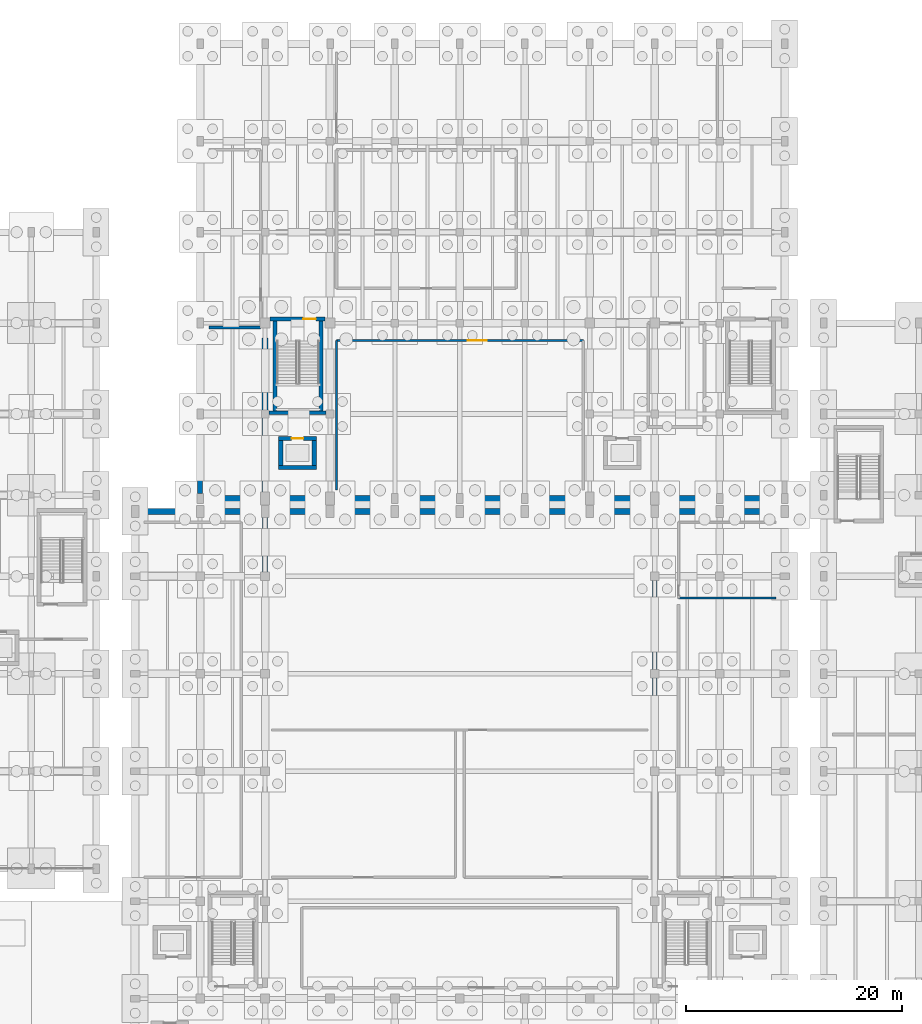
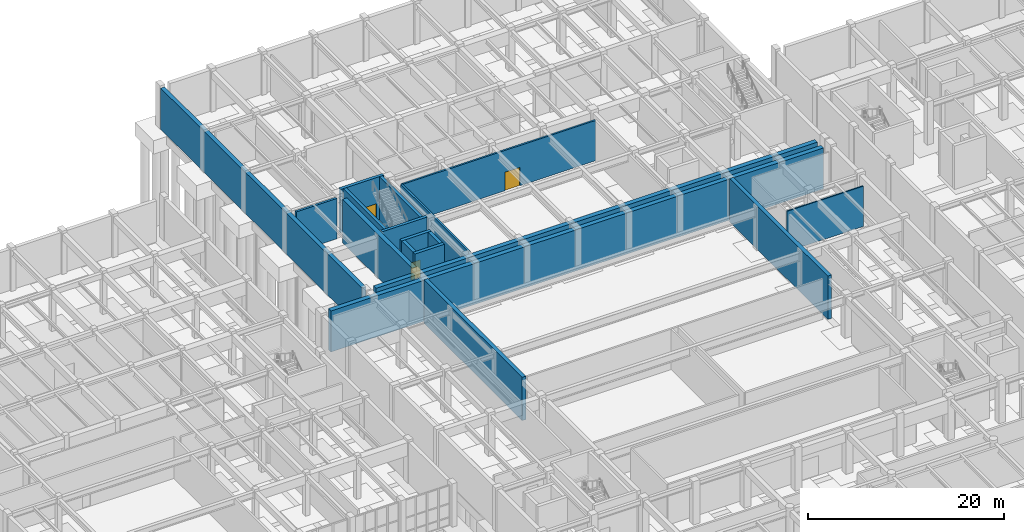
# One storey, part 52 of 69: 18 walls, 3 doors, 3 openings.
"""IFC4 building model written with IfcOpenShell, lengths in metres."""

import ifcopenshell
import ifcopenshell.guid

model = None  # the IFC model being written
_history = None  # IfcOwnerHistory: only IFC2X3 demands one
_inside = {}  # id of a spatial element -> (the spatial element, [elements in it])
_under = {}  # id of a project, library or spatial element -> (it, [spatial elements below it])
_declared = {}  # id of a project -> (the project, [libraries it declares])
_typed = {}  # id of a type object -> (the type object, [elements of that type])
_made_of = {}  # id of a material, layer set ... -> (it, [elements and type objects made of it])


def new_model(schema):
    """Start an empty IFC model of exactly this schema.

    Asked for "IFC4X3", IfcOpenShell would pick the latest addendum, in which some entities
    have other attributes; the version numbers below select the first issue.
    IFC2X3 requires an IfcOwnerHistory on every rooted entity: one is made here for all.
    """
    global model, _history
    if schema == "IFC4X3":
        model = ifcopenshell.file(schema_version=(4, 3, 0, 0))
    else:
        model = ifcopenshell.file(schema=schema)
    _inside.clear()
    _under.clear()
    _declared.clear()
    _typed.clear()
    _made_of.clear()
    _history = None
    if model.schema == "IFC2X3":
        org = make("IfcOrganization", Name="unknown")
        user = make(
            "IfcPersonAndOrganization",
            ThePerson=make("IfcPerson", FamilyName="unknown"),
            TheOrganization=org,
        )
        app = make(
            "IfcApplication",
            ApplicationDeveloper=org,
            Version="unknown",
            ApplicationFullName="unknown",
            ApplicationIdentifier="unknown",
        )
        _history = make(
            "IfcOwnerHistory",
            OwningUser=user,
            OwningApplication=app,
            ChangeAction="ADDED",
            CreationDate=0,
        )
    return model


def make(cls, **values):
    """One entity of the class cls with the attributes given. An attribute that is None is left unset."""
    return model.create_entity(
        cls, **{name: value for name, value in values.items() if value is not None}
    )


def rooted(cls, **values):
    """An entity with a GlobalId (a new one), such as an element, a storey or a relation."""
    return make(cls, GlobalId=ifcopenshell.guid.new(), OwnerHistory=_history, **values)


def si_unit(unit_type, name, prefix=None):
    """IfcSIUnit, for example si_unit("LENGTHUNIT", "METRE", prefix="MILLI")."""
    return make("IfcSIUnit", UnitType=unit_type, Prefix=prefix, Name=name)


def assignment(units):
    """IfcUnitAssignment: the units of a project."""
    return None if units is None else make("IfcUnitAssignment", Units=units)


def point(xyz):
    """IfcCartesianPoint."""
    return None if xyz is None else make("IfcCartesianPoint", Coordinates=xyz)


def direction(xyz):
    """IfcDirection."""
    return None if xyz is None else make("IfcDirection", DirectionRatios=xyz)


def frame(location, z_axis=None, x_axis=None):
    """IfcAxis2Placement3D, a coordinate frame: its origin and axes. An axis left out is left unset."""
    return make(
        "IfcAxis2Placement3D",
        Location=point(location),
        Axis=direction(z_axis),
        RefDirection=direction(x_axis),
    )


def frame_2d(location, x_axis=None):
    """IfcAxis2Placement2D, a coordinate frame in the plane: its origin and x axis."""
    return make(
        "IfcAxis2Placement2D", Location=point(location), RefDirection=direction(x_axis)
    )


def origin():
    """The frame at (0, 0, 0) with its axes left unset."""
    return frame((0.0, 0.0, 0.0))


def place(relative_to, where):
    """IfcLocalPlacement: puts the frame where relative to a parent placement (None: the world)."""
    return make(
        "IfcLocalPlacement", PlacementRelTo=relative_to, RelativePlacement=where
    )


def context(
    kind, dimensions, precision=None, world=None, true_north=None, identifier=None
):
    """IfcGeometricRepresentationContext, for example the 3D "Model" context."""
    return make(
        "IfcGeometricRepresentationContext",
        ContextIdentifier=identifier,
        ContextType=kind,
        CoordinateSpaceDimension=dimensions,
        Precision=precision,
        WorldCoordinateSystem=world,
        TrueNorth=true_north,
    )


def subcontext(parent, identifier, kind, view, scale=None):
    """IfcGeometricRepresentationSubContext, for example "Body" below "Model"."""
    return make(
        "IfcGeometricRepresentationSubContext",
        ContextIdentifier=identifier,
        ContextType=kind,
        ParentContext=parent,
        TargetScale=scale,
        TargetView=view,
    )


def project(units=None, contexts=None):
    """IfcProject with its units and contexts."""
    return rooted(
        "IfcProject",
        Name="project",
        RepresentationContexts=contexts,
        UnitsInContext=assignment(units),
    )


def spatial(cls, under=None, at=None, **own):
    """A site, building, storey or space (cls), placed at a placement, below another one or the project."""
    s = rooted(cls, ObjectPlacement=at, **own)
    if under is not None:
        _under.setdefault(under.id(), (under, []))[1].append(s)
    return s


def profile(cls, at=None, kind="AREA", **sizes):
    """A parametric profile (cls). Its sizes go by their IFC names, for example OverallWidth=200.0."""
    return make(cls, ProfileType=kind, Position=at, **sizes)


def rectangle(**sizes):
    """IfcRectangleProfileDef."""
    return profile("IfcRectangleProfileDef", **sizes)


def extrude(swept, where, along, depth):
    """IfcExtrudedAreaSolid: the profile swept, set in the frame where, extruded along a direction by depth."""
    return make(
        "IfcExtrudedAreaSolid",
        SweptArea=swept,
        Position=where,
        ExtrudedDirection=direction(along),
        Depth=depth,
    )


def shape(context_of_items, identifier, shape_type, items):
    """IfcShapeRepresentation: the items that make up one representation, for example the "Body"."""
    return make(
        "IfcShapeRepresentation",
        ContextOfItems=context_of_items,
        RepresentationIdentifier=identifier,
        RepresentationType=shape_type,
        Items=items,
    )


def material(Name=None, Category=None):
    """IfcMaterial."""
    return make("IfcMaterial", Name=Name, Category=Category)


def layer(
    of_material, thickness, ventilated=None, Name=None, Category=None, Priority=None
):
    """IfcMaterialLayer: one layer of a wall or slab, of a material (None: an air gap)."""
    return make(
        "IfcMaterialLayer",
        Material=of_material,
        LayerThickness=thickness,
        IsVentilated=ventilated,
        Name=Name,
        Category=Category,
        Priority=Priority,
    )


def layer_set(layers, Name=None):
    """IfcMaterialLayerSet."""
    return make("IfcMaterialLayerSet", MaterialLayers=layers, LayerSetName=Name)


def made_of(thing, what):
    """Note that an element or type object is made of a material, layer set ...; save() writes the relation."""
    if what is not None:
        _made_of.setdefault(what.id(), (what, []))[1].append(thing)
    return thing


def type_object(cls, material=None, **own):
    """A type object (cls), such as IfcWallType, which elements share."""
    return made_of(rooted(cls, **own), material)


def element(
    cls,
    number,
    at=None,
    inside=None,
    cuts=None,
    type_object=None,
    material=None,
    context=None,
    identifier="Body",
    shape_type=None,
    held_by="IfcProductDefinitionShape",
    body=None,
    shapes=None,
    **own,
):
    """One element of the class cls, such as IfcWall. Its Tag is "e" and its number.

    at: its placement. inside: the storey or other place that contains it. cuts: it is an
    opening in that element (IfcRelVoidsElement). A single representation is given by context,
    identifier, shape_type and body (its items); several are given by shapes. held_by: the class
    of the entity that holds the representations. save() writes the other relations.
    """
    e = rooted(cls, Tag="e%d" % number, ObjectPlacement=at, **own)
    if body is not None:
        shapes = [shape(context, identifier, shape_type, body)]
    if shapes is not None:
        e.Representation = make(held_by, Representations=shapes)
    if inside is not None:
        _inside.setdefault(inside.id(), (inside, []))[1].append(e)
    if cuts is not None:
        rooted(
            "IfcRelVoidsElement", RelatingBuildingElement=cuts, RelatedOpeningElement=e
        )
    if type_object is not None:
        _typed.setdefault(type_object.id(), (type_object, []))[1].append(e)
    return made_of(e, material)


def fill(opening, filler):
    """IfcRelFillsElement: the door or window that sits in an opening."""
    return rooted(
        "IfcRelFillsElement",
        RelatingOpeningElement=opening,
        RelatedBuildingElement=filler,
    )


def aggregate(whole, parts):
    """IfcRelAggregates: a whole, such as a stair, and the parts it consists of."""
    return rooted("IfcRelAggregates", RelatingObject=whole, RelatedObjects=parts)


def save(model, path):
    """Write the relations noted so far, then the file.

    IfcRelAggregates (storeys below a building ...), IfcRelContainedInSpatialStructure (elements
    in a storey), IfcRelDefinesByType, IfcRelAssociatesMaterial and IfcRelDeclares: one each for
    every whole, place, type object, material and project.
    """
    for whole, parts in _under.values():
        aggregate(whole, parts)
    for where, things in _inside.values():
        rooted(
            "IfcRelContainedInSpatialStructure",
            RelatedElements=things,
            RelatingStructure=where,
        )
    for kind, things in _typed.values():
        rooted("IfcRelDefinesByType", RelatedObjects=things, RelatingType=kind)
    for what, things in _made_of.values():
        rooted("IfcRelAssociatesMaterial", RelatedObjects=things, RelatingMaterial=what)
    for by, libraries in _declared.values():
        rooted("IfcRelDeclares", RelatingContext=by, RelatedDefinitions=libraries)
    model.write(path)


model = new_model("IFC4")

# Units and contexts
model_context = context("Model", 3, precision=1e-05, world=origin(), true_north=direction((0.0, 1.0)))
body_context = subcontext(model_context, "Body", "Model", "MODEL_VIEW")
ifc_project = project(units=[si_unit("LENGTHUNIT", "METRE"), si_unit("AREAUNIT", "SQUARE_METRE"), si_unit("VOLUMEUNIT", "CUBIC_METRE"), si_unit("PLANEANGLEUNIT", "RADIAN"), si_unit("MASSUNIT", "GRAM", prefix="KILO")], contexts=[model_context])

# Site, building, storey
site_placement = place(None, origin())
site = spatial("IfcSite", under=ifc_project, at=site_placement, CompositionType="ELEMENT")
building_placement = place(site_placement, origin())
building = spatial("IfcBuilding", under=site, at=building_placement, Name="Vaelkrest Opera House", CompositionType="ELEMENT")
storey_placement = place(building_placement, frame((0.0, 0.0, -5.39990234375)))
storey = spatial("IfcBuildingStorey", under=building, at=storey_placement, Name="B1", CompositionType="ELEMENT", Elevation=-5.39990234375)

# Wall
ifc_material_1 = material(Name="Gypsum acoustic board", Category="gypsum")
ifc_layer_1 = layer(ifc_material_1, 0.14990234375)
ifc_layer_set_1 = layer_set([ifc_layer_1], Name="Gypsum acoustic board")
wall_type_1 = type_object("IfcWallType", Name="PT03", PredefinedType="PARTITIONING", material=ifc_layer_set_1)
wall_1_placement = place(storey_placement, frame((20.199951171875, 8.199951171875, 0.0), z_axis=(0.0, 0.0, 1.0), x_axis=(1.0, 0.0, 0.0)))
element("IfcWall", 1, at=wall_1_placement, inside=storey, type_object=wall_type_1, Name="Interior partition PT-V1-B1-0017", PredefinedType="PARTITIONING", context=body_context, shape_type="SweptSolid", body=[
    extrude(rectangle(XDim=9.0, YDim=0.14990234375, at=frame_2d((4.5, 0.0))), origin(), (0.0, 0.0, 1.0), 5.02001953125),
])

# Wall, opening, door
ifc_material_2 = material(Name="American black walnut acoustic timber", Category="wood")
ifc_layer_2 = layer(ifc_material_2, 0.2099609375)
ifc_layer_set_2 = layer_set([ifc_layer_2], Name="American black walnut acoustic timber")
wall_type_2 = type_object("IfcWallType", Name="PT07", PredefinedType="PARTITIONING", material=ifc_layer_set_2)
wall_2_placement = place(storey_placement, frame((-11.39990234375, 32.0, 0.0), z_axis=(0.0, 0.0, 1.0), x_axis=(1.0, 0.0, 0.0)))
wall_2 = element("IfcWall", 2, at=wall_2_placement, inside=storey, type_object=wall_type_2, Name="Interior partition PT-V2-B1-0153", PredefinedType="PARTITIONING", context=body_context, shape_type="SweptSolid", body=[
    extrude(rectangle(XDim=22.7998046875, YDim=0.2099609375, at=frame_2d((11.39990234375, 0.0))), origin(), (0.0, 0.0, 1.0), 5.02001953125),
])
opening_1_placement = place(wall_2_placement, frame((12.110107421875, 0.0, 0.0)))
opening_1 = element("IfcOpeningElement", 3, at=opening_1_placement, cuts=wall_2, Name="Opening D058", PredefinedType="OPENING", context=body_context, shape_type="SweptSolid", body=[
    extrude(rectangle(XDim=1.780029296875, YDim=2.300048828125, at=frame_2d((0.89013671875, 1.14990234375))), frame((0.0, 0.114990234375, 0.0), z_axis=(0.0, -1.0, 0.0), x_axis=(1.0, 0.0, 0.0)), (0.0, 0.0, 1.0), 0.22998046875),
])
door_type_1 = type_object("IfcDoorType", Name="DT20", OperationType="DOUBLE_DOOR_SINGLE_SWING", PredefinedType="DOOR", material=ifc_material_2)
door_1_placement = place(opening_1_placement, origin())
door_1 = element("IfcDoor", 4, at=door_1_placement, inside=storey, type_object=door_type_1, Name="Interior door D058 (Understage Machinery Room)", OperationType="DOUBLE_DOOR_SINGLE_SWING", OverallHeight=2.300048828125, OverallWidth=1.780029296875, PredefinedType="DOOR", context=body_context, shape_type="SweptSolid", body=[
    extrude(rectangle(XDim=1.780029296875, YDim=2.300048828125, at=frame_2d((0.89013671875, 1.14990234375))), frame((0.0, 0.02490234375, 0.0), z_axis=(0.0, -1.0, 0.0), x_axis=(1.0, 0.0, 0.0)), (0.0, 0.0, 1.0), 0.050048828125),
])
fill(opening_1, door_1)

# Walls
ifc_layer_3 = layer(ifc_material_2, 0.22509765625)
ifc_layer_set_3 = layer_set([ifc_layer_3], Name="American black walnut acoustic timber")
wall_type_3 = type_object("IfcWallType", Name="PT08", PredefinedType="PARTITIONING", material=ifc_layer_set_3)
wall_3_placement = place(storey_placement, frame((-11.39990234375, 18.199951171875, 0.0), z_axis=(0.0, 0.0, 1.0), x_axis=(0.0, 1.0, 0.0)))
element("IfcWall", 5, at=wall_3_placement, inside=storey, type_object=wall_type_3, Name="Interior partition PT-V2-B1-0154", PredefinedType="PARTITIONING", context=body_context, shape_type="SweptSolid", body=[
    extrude(rectangle(XDim=13.800048828125, YDim=0.22509765625, at=frame_2d((6.89990234375, 0.0))), origin(), (0.0, 0.0, 1.0), 5.02001953125),
])
ifc_material_3 = material(Name="Concrete C40/50", Category="concrete")
ifc_layer_4 = layer(ifc_material_3, 0.260009765625)
ifc_layer_set_4 = layer_set([ifc_layer_4], Name="Concrete C40/50")
wall_type_4 = type_object("IfcWallType", Name="PT10", PredefinedType="PARTITIONING", material=ifc_layer_set_4)
wall_4_placement = place(storey_placement, frame((-23.199951171875, 33.199951171875, 0.0), z_axis=(0.0, 0.0, 1.0), x_axis=(1.0, 0.0, 0.0)))
element("IfcWall", 6, at=wall_4_placement, inside=storey, type_object=wall_type_4, Name="Interior partition PT-V2-B1-0156", PredefinedType="PARTITIONING", context=body_context, shape_type="SweptSolid", body=[
    extrude(rectangle(XDim=4.800048828125, YDim=0.260009765625, at=frame_2d((2.39990234375, 0.0))), origin(), (0.0, 0.0, 1.0), 5.02001953125),
])
ifc_layer_5 = layer(ifc_material_3, 0.47998046875)
ifc_layer_set_5 = layer_set([ifc_layer_5], Name="Concrete C40/50")
wall_type_5 = type_object("IfcWallType", Name="RW02", PredefinedType="USERDEFINED", material=ifc_layer_set_5)
wall_5_placement = place(storey_placement, frame((-24.0, 17.85009765625, 0.0), z_axis=(0.0, 0.0, 1.0), x_axis=(0.0, 1.0, 0.0)))
element("IfcWall", 7, at=wall_5_placement, inside=storey, type_object=wall_type_5, Name="Retaining wall RW-V2-W", ObjectType="RETAINING WALL", PredefinedType="USERDEFINED", context=body_context, shape_type="SweptSolid", body=[
    extrude(rectangle(XDim=41.099853515625, YDim=0.47998046875, at=frame_2d((20.5498046875, 0.0))), origin(), (0.0, 0.0, 1.0), 5.10986328125),
])
ifc_layer_6 = layer(ifc_material_3, 0.5400390625)
ifc_layer_set_6 = layer_set([ifc_layer_6], Name="Concrete C40/50")
wall_type_6 = type_object("IfcWallType", Name="RW03", PredefinedType="USERDEFINED", material=ifc_layer_set_6)
wall_6_placement = place(storey_placement, frame((-29.0, 16.199951171875, 0.0), z_axis=(0.0, 0.0, 1.0), x_axis=(1.0, 0.0, 0.0)))
element("IfcWall", 8, at=wall_6_placement, inside=storey, type_object=wall_type_6, Name="Retaining wall RW-V1-N", ObjectType="RETAINING WALL", PredefinedType="USERDEFINED", context=body_context, shape_type="SweptSolid", body=[
    extrude(rectangle(XDim=58.0, YDim=0.5400390625, at=frame_2d((29.0, 0.0))), origin(), (0.0, 0.0, 1.0), 5.10986328125),
])
wall_7_placement = place(storey_placement, frame((-23.0, 17.39990234375, 0.0), z_axis=(0.0, 0.0, 1.0), x_axis=(1.0, 0.0, 0.0)))
element("IfcWall", 9, at=wall_7_placement, inside=storey, type_object=wall_type_6, Name="Retaining wall RW-V2-S", ObjectType="RETAINING WALL", PredefinedType="USERDEFINED", context=body_context, shape_type="SweptSolid", body=[
    extrude(rectangle(XDim=52.0, YDim=0.5400390625, at=frame_2d((26.0, 0.0))), origin(), (0.0, 0.0, 1.0), 5.10986328125),
])
ifc_material_4 = material(Name="Concrete C50/60", Category="concrete")
ifc_layer_7 = layer(ifc_material_4, 0.35009765625)
ifc_layer_set_7 = layer_set([ifc_layer_7], Name="Concrete C50/60")
wall_type_7 = type_object("IfcWallType", Name="SW01", PredefinedType="SHEAR", material=ifc_layer_set_7)
wall_8_placement = place(storey_placement, frame((-12.35009765625, 25.324951171875, 0.0), z_axis=(0.0, 0.0, 1.0), x_axis=(-1.0, 0.0, 0.0)))
element("IfcWall", 10, at=wall_8_placement, inside=storey, type_object=wall_type_7, Name="Stair core ST05 wall B1 S", PredefinedType="SHEAR", context=body_context, shape_type="SweptSolid", body=[
    extrude(rectangle(XDim=5.2998046875, YDim=0.35009765625, at=frame_2d((2.64990234375, 0.0))), origin(), (0.0, 0.0, 1.0), 5.39990234375),
])
wall_9_placement = place(storey_placement, frame((-17.074951171875, 25.5, 0.0), z_axis=(0.0, 0.0, 1.0), x_axis=(0.0, 1.0, 0.0)))
element("IfcWall", 11, at=wall_9_placement, inside=storey, type_object=wall_type_7, Name="Stair core ST05 wall B1 W", PredefinedType="SHEAR", context=body_context, shape_type="SweptSolid", body=[
    extrude(rectangle(XDim=8.300048828125, YDim=0.35009765625, at=frame_2d((4.14990234375, 0.0))), origin(), (0.0, 0.0, 1.0), 5.39990234375),
])

# Wall, opening, door
wall_10_placement = place(storey_placement, frame((-17.550048828125, 33.97509765625, 0.0), z_axis=(0.0, 0.0, 1.0), x_axis=(1.0, 0.0, 0.0)))
wall_10 = element("IfcWall", 12, at=wall_10_placement, inside=storey, type_object=wall_type_7, Name="Stair core ST05 wall B1 N", PredefinedType="SHEAR", context=body_context, shape_type="SweptSolid", body=[
    extrude(rectangle(XDim=5.10009765625, YDim=0.35009765625, at=frame_2d((2.550048828125, 0.0))), origin(), (0.0, 0.0, 1.0), 5.39990234375),
])
opening_2_placement = place(wall_10_placement, frame((3.070068359375, 0.0, 0.0)))
opening_2 = element("IfcOpeningElement", 13, at=opening_2_placement, cuts=wall_10, Name="Opening SD-ST05-B1", PredefinedType="OPENING", context=body_context, shape_type="SweptSolid", body=[
    extrude(rectangle(XDim=1.179931640625, YDim=2.14990234375, at=frame_2d((0.58984375, 1.074951171875))), frame((0.0, 0.18505859375, 0.0), z_axis=(0.0, -1.0, 0.0), x_axis=(1.0, 0.0, 0.0)), (0.0, 0.0, 1.0), 0.3701171875),
])
door_type_2 = type_object("IfcDoorType", Name="DT07", OperationType="NOTDEFINED", PredefinedType="DOOR", material=ifc_material_2)
door_2_placement = place(opening_2_placement, origin())
door_2 = element("IfcDoor", 14, at=door_2_placement, inside=storey, type_object=door_type_2, Name="Protected stair door SD-ST05-B1", OperationType="SINGLE_SWING_RIGHT", OverallHeight=2.14990234375, OverallWidth=1.179931640625, PredefinedType="DOOR", context=body_context, shape_type="SweptSolid", body=[
    extrude(rectangle(XDim=1.179931640625, YDim=2.14990234375, at=frame_2d((0.58984375, 1.074951171875))), frame((0.0, 0.02490234375, 0.0), z_axis=(0.0, -1.0, 0.0), x_axis=(1.0, 0.0, 0.0)), (0.0, 0.0, 1.0), 0.050048828125),
])
fill(opening_2, door_2)

# Walls
wall_11_placement = place(storey_placement, frame((-12.824951171875, 33.800048828125, 0.0), z_axis=(0.0, 0.0, 1.0), x_axis=(0.0, -1.0, 0.0)))
element("IfcWall", 15, at=wall_11_placement, inside=storey, type_object=wall_type_7, Name="Stair core ST05 wall B1 E", PredefinedType="SHEAR", context=body_context, shape_type="SweptSolid", body=[
    extrude(rectangle(XDim=8.300048828125, YDim=0.35009765625, at=frame_2d((4.14990234375, 0.0))), origin(), (0.0, 0.0, 1.0), 5.39990234375),
])
ifc_layer_8 = layer(ifc_material_4, 0.389892578125)
ifc_layer_set_8 = layer_set([ifc_layer_8], Name="Concrete C50/60")
wall_type_8 = type_object("IfcWallType", Name="SW02", PredefinedType="SHEAR", material=ifc_layer_set_8)
wall_12_placement = place(storey_placement, frame((-13.260009765625, 20.2548828125, 0.0), z_axis=(0.0, 0.0, 1.0), x_axis=(-1.0, 0.0, 0.0)))
element("IfcWall", 16, at=wall_12_placement, inside=storey, type_object=wall_type_8, Name="Lift shaft LF01 wall B1 S", PredefinedType="SHEAR", context=body_context, shape_type="SweptSolid", body=[
    extrude(rectangle(XDim=3.47998046875, YDim=0.389892578125, at=frame_2d((1.739990234375, 0.0))), origin(), (0.0, 0.0, 1.0), 5.39990234375),
])

# Wall, opening, door
wall_13_placement = place(storey_placement, frame((-16.739990234375, 22.945068359375, 0.0), z_axis=(0.0, 0.0, 1.0), x_axis=(1.0, 0.0, 0.0)))
wall_13 = element("IfcWall", 17, at=wall_13_placement, inside=storey, type_object=wall_type_8, Name="Lift shaft LF01 wall B1 N", PredefinedType="SHEAR", context=body_context, shape_type="SweptSolid", body=[
    extrude(rectangle(XDim=3.47998046875, YDim=0.389892578125, at=frame_2d((1.739990234375, 0.0))), origin(), (0.0, 0.0, 1.0), 5.39990234375),
])
opening_3_placement = place(wall_13_placement, frame((1.18994140625, 0.0, 0.0)))
opening_3 = element("IfcOpeningElement", 18, at=opening_3_placement, cuts=wall_13, Name="Opening LD-LF01-B1", PredefinedType="OPENING", context=body_context, shape_type="SweptSolid", body=[
    extrude(rectangle(XDim=1.10009765625, YDim=2.14990234375, at=frame_2d((0.550048828125, 1.074951171875))), frame((0.0, 0.204833984375, 0.0), z_axis=(0.0, -1.0, 0.0), x_axis=(1.0, 0.0, 0.0)), (0.0, 0.0, 1.0), 0.409912109375),
])
ifc_material_5 = material(Name="Dark bronze anodized aluminium", Category="aluminium")
door_type_3 = type_object("IfcDoorType", Name="LDT01", OperationType="SLIDING_TO_LEFT", PredefinedType="DOOR", material=ifc_material_5)
door_3_placement = place(opening_3_placement, origin())
door_3 = element("IfcDoor", 19, at=door_3_placement, inside=storey, type_object=door_type_3, Name="Lift landing sliding door LD-LF01-B1", OperationType="SLIDING_TO_LEFT", OverallHeight=2.14990234375, OverallWidth=1.10009765625, PredefinedType="DOOR", context=body_context, shape_type="SweptSolid", body=[
    extrude(rectangle(XDim=1.10009765625, YDim=2.14990234375, at=frame_2d((0.550048828125, 1.074951171875))), frame((0.0, 0.02490234375, 0.0), z_axis=(0.0, -1.0, 0.0), x_axis=(1.0, 0.0, 0.0)), (0.0, 0.0, 1.0), 0.050048828125),
])
fill(opening_3, door_3)

# Walls
for number, where, z_axis, x_axis, name in (
    (20, (-16.544921875, 20.449951171875, 0.0), (0.0, 0.0, 1.0), (0.0, 1.0, 0.0), "Lift shaft LF01 wall B1 W"),
    (21, (-13.455078125, 22.75, 0.0), (0.0, 0.0, 1.0), (0.0, -1.0, 0.0), "Lift shaft LF01 wall B1 E"),
):
    element("IfcWall", number, at=place(storey_placement, frame(where, z_axis=z_axis, x_axis=x_axis)), inside=storey, type_object=wall_type_8, Name=name, PredefinedType="SHEAR", context=body_context, shape_type="SweptSolid", body=[
        extrude(rectangle(XDim=2.300048828125, YDim=0.389892578125, at=frame_2d((1.14990234375, 0.0))), origin(), (0.0, 0.0, 1.0), 5.39990234375),
    ])
ifc_layer_9 = layer(ifc_material_4, 0.449951171875)
ifc_layer_set_9 = layer_set([ifc_layer_9], Name="Concrete C50/60")
wall_type_9 = type_object("IfcWallType", Name="SW03", PredefinedType="SHEAR", material=ifc_layer_set_9)
for number, where, z_axis, x_axis, name in (
    (22, (-18.0, -4.39990234375, 0.0), (0.0, 0.0, 1.0), (0.0, 1.0, 0.0), "Auditorium shell wall W2 B1"),
    (23, (18.0, -4.39990234375, 0.0), (0.0, 0.0, 1.0), (0.0, 1.0, 0.0), "Auditorium shell wall E2 B1"),
):
    element("IfcWall", number, at=place(storey_placement, frame(where, z_axis=z_axis, x_axis=x_axis)), inside=storey, type_object=wall_type_9, Name=name, PredefinedType="SHEAR", context=body_context, shape_type="SweptSolid", body=[
        extrude(rectangle(XDim=20.0498046875, YDim=0.449951171875, at=frame_2d((10.02490234375, 0.0))), origin(), (0.0, 0.0, 1.0), 5.39990234375),
    ])
ifc_layer_10 = layer(ifc_material_4, 0.52001953125)
ifc_layer_set_10 = layer_set([ifc_layer_10], Name="Concrete C50/60")
wall_type_10 = type_object("IfcWallType", Name="SW04", PredefinedType="SHEAR", material=ifc_layer_set_10)
wall_14_placement = place(storey_placement, frame((-18.0, 18.0, 0.0), z_axis=(0.0, 0.0, 1.0), x_axis=(0.0, 1.0, 0.0)))
element("IfcWall", 24, at=wall_14_placement, inside=storey, type_object=wall_type_10, Name="Fly tower west shear wall B1", PredefinedType="SHEAR", context=body_context, shape_type="SweptSolid", body=[
    extrude(rectangle(XDim=14.199951171875, YDim=0.52001953125, at=frame_2d((7.10009765625, 0.0))), origin(), (0.0, 0.0, 1.0), 5.39990234375),
])

save(model, "model.ifc")
